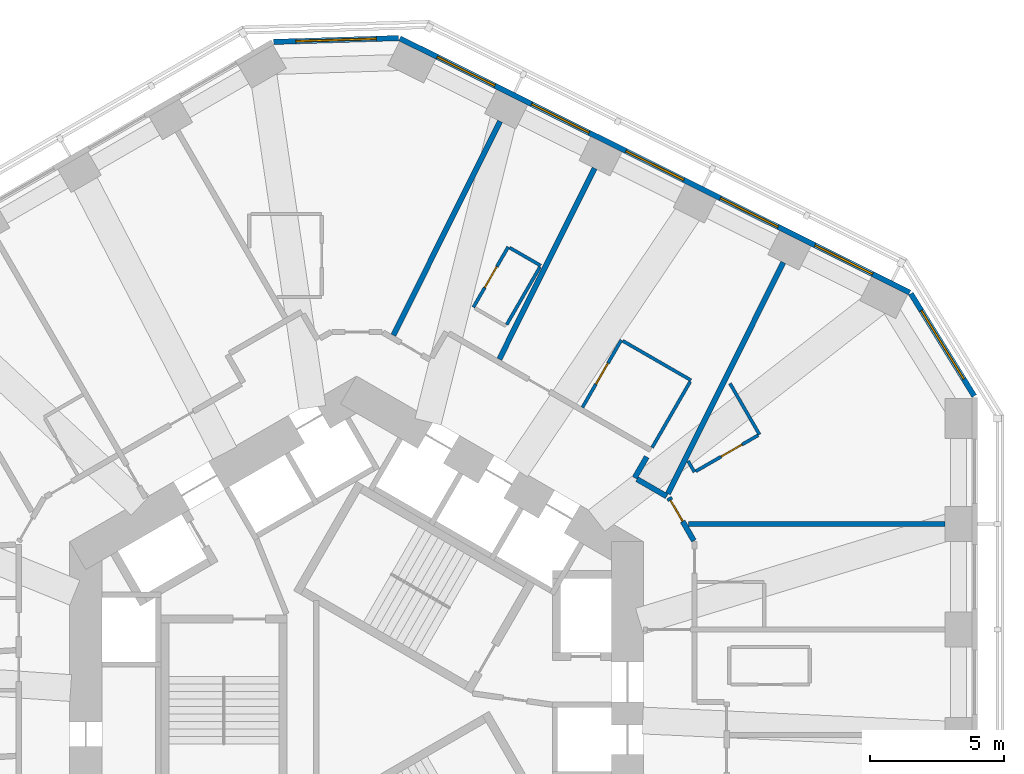
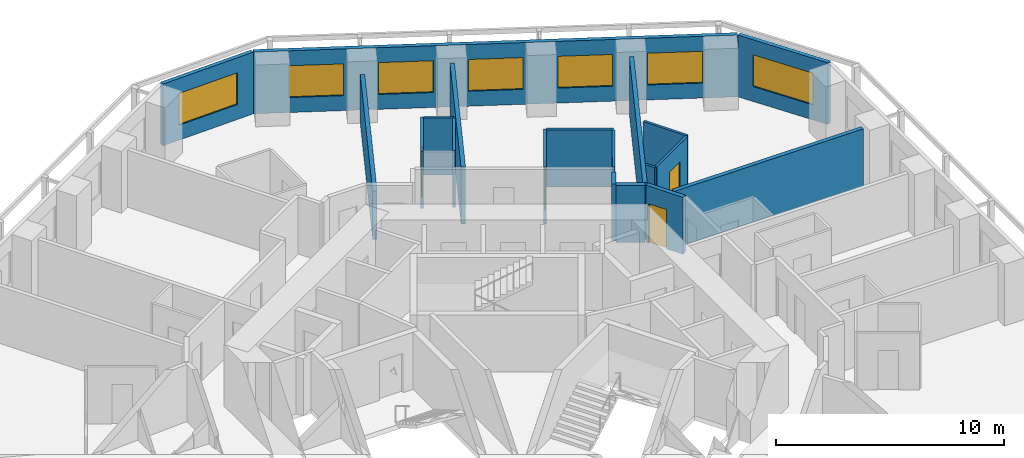
# One storey, part 9 of 12: 19 walls, 7 windows, 4 doors, 11 openings.
"""IFC4 building model written with IfcOpenShell, lengths in metres."""

from ifc_helpers import new_model, si_unit, direction, frame, frame_2d, origin, place, context, subcontext, project, spatial, rectangle, extrude, material, layer, layer_set, type_object, element, fill, save


model = new_model("IFC4")

# Units and contexts
model_context = context("Model", 3, precision=1e-05, world=origin(), true_north=direction((0.0, 1.0)))
body_context = subcontext(model_context, "Body", "Model", "MODEL_VIEW")
ifc_project = project(units=[si_unit("LENGTHUNIT", "METRE"), si_unit("AREAUNIT", "SQUARE_METRE"), si_unit("VOLUMEUNIT", "CUBIC_METRE"), si_unit("PLANEANGLEUNIT", "RADIAN"), si_unit("MASSUNIT", "GRAM", prefix="KILO")], contexts=[model_context])

# Site, building, storey
site_placement = place(None, origin())
site = spatial("IfcSite", under=ifc_project, at=site_placement, CompositionType="ELEMENT")
building_placement = place(site_placement, origin())
building = spatial("IfcBuilding", under=site, at=building_placement, Name="Vanh Sen Convention Tower", CompositionType="ELEMENT")
storey_placement = place(building_placement, frame((0.0, 0.0, 53.89990234375)))
storey = spatial("IfcBuildingStorey", under=building, at=storey_placement, Name="L10", CompositionType="ELEMENT", Elevation=53.89990234375)

# Wall, opening, door
ifc_material_1 = material(Name="Moisture-resistant gypsum board on steel studs", Category="steel")
ifc_layer_1 = layer(ifc_material_1, 0.1201171875)
ifc_layer_set_1 = layer_set([ifc_layer_1], Name="Moisture-resistant gypsum board on steel studs")
wall_type_1 = type_object("IfcWallType", Name="Bathroom partition 120", PredefinedType="PARTITIONING", material=ifc_layer_set_1)
wall_1_placement = place(storey_placement, frame((4.356201171875, 14.922119140625, 0.0), z_axis=(0.0, 0.0, 1.0), x_axis=(0.499936506574, 0.866062058628, 0.0)))
wall_1 = element("IfcWall", 1, at=wall_1_placement, inside=storey, type_object=wall_type_1, Name="Bathroom partition 120", PredefinedType="PARTITIONING", context=body_context, shape_type="SweptSolid", body=[
    extrude(rectangle(XDim=2.599853515625, YDim=0.1201171875, at=frame_2d((1.2998046875, 0.0))), origin(), (0.0, 0.0, 1.0), 3.050048828125),
])
opening_1_placement = place(wall_1_placement, frame((0.85009765625, 0.0, 0.0)))
opening_1 = element("IfcOpeningElement", 2, at=opening_1_placement, cuts=wall_1, Name="Opening D10112", PredefinedType="OPENING", context=body_context, shape_type="SweptSolid", body=[
    extrude(rectangle(XDim=0.89990234375, YDim=2.10009765625, at=frame_2d((0.449951171875, 1.050048828125))), frame((0.0, 0.070068359375, 0.0), z_axis=(0.0, -1.0, 0.0), x_axis=(1.0, 0.0, 0.0)), (0.0, 0.0, 1.0), 0.14013671875),
])
ifc_material_2 = material(Name="Laminate door in steel frame", Category="steel")
door_type_1 = type_object("IfcDoorType", Name="En-suite door 900", OperationType="SINGLE_SWING_LEFT", PredefinedType="DOOR", material=ifc_material_2)
door_1_placement = place(opening_1_placement, origin())
door_1 = element("IfcDoor", 3, at=door_1_placement, inside=storey, type_object=door_type_1, Name="En-suite door D10112", OperationType="SINGLE_SWING_LEFT", OverallHeight=2.10009765625, OverallWidth=0.89990234375, PredefinedType="DOOR", context=body_context, shape_type="SweptSolid", body=[
    extrude(rectangle(XDim=0.89990234375, YDim=2.10009765625, at=frame_2d((0.449951171875, 1.050048828125))), frame((0.0, 0.02490234375, 0.0), z_axis=(0.0, -1.0, 0.0), x_axis=(1.0, 0.0, 0.0)), (0.0, 0.0, 1.0), 0.050048828125),
])
fill(opening_1, door_1)

# Walls
wall_2_placement = place(storey_placement, frame((5.7080078125, 17.143798828125, 0.0), z_axis=(0.0, 0.0, 1.0), x_axis=(0.866082447003, -0.499901185229, 0.0)))
element("IfcWall", 4, at=wall_2_placement, inside=storey, type_object=wall_type_1, Name="Bathroom partition 120", PredefinedType="PARTITIONING", context=body_context, shape_type="SweptSolid", body=[
    extrude(rectangle(XDim=1.340087890625, YDim=0.1201171875, at=frame_2d((0.669921875, 0.0))), origin(), (0.0, 0.0, 1.0), 3.050048828125),
])
wall_3_placement = place(storey_placement, frame((6.838623046875, 16.421875, 0.0), z_axis=(0.0, 0.0, 1.0), x_axis=(-0.50000366821, -0.866023285932, 0.0)))
element("IfcWall", 5, at=wall_3_placement, inside=storey, type_object=wall_type_1, Name="Bathroom partition 120", PredefinedType="PARTITIONING", context=body_context, shape_type="SweptSolid", body=[
    extrude(rectangle(XDim=2.47998046875, YDim=0.1201171875, at=frame_2d((1.239990234375, 0.0))), origin(), (0.0, 0.0, 1.0), 3.050048828125),
])

# Wall, opening, door
wall_4_placement = place(storey_placement, frame((8.423583984375, 11.18798828125, 0.0), z_axis=(0.0, 0.0, 1.0), x_axis=(0.49995078051, 0.866053818805, 0.0)))
wall_4 = element("IfcWall", 6, at=wall_4_placement, inside=storey, type_object=wall_type_1, Name="Bathroom partition 120", PredefinedType="PARTITIONING", context=body_context, shape_type="SweptSolid", body=[
    extrude(rectangle(XDim=2.900146484375, YDim=0.1201171875, at=frame_2d((1.4501953125, 0.0))), origin(), (0.0, 0.0, 1.0), 3.050048828125),
])
opening_2_placement = place(wall_4_placement, frame((1.0, 0.0, 0.0)))
opening_2 = element("IfcOpeningElement", 7, at=opening_2_placement, cuts=wall_4, Name="Opening D10110", PredefinedType="OPENING", context=body_context, shape_type="SweptSolid", body=[
    extrude(rectangle(XDim=0.89990234375, YDim=2.10009765625, at=frame_2d((0.449951171875, 1.050048828125))), frame((0.0, 0.070068359375, 0.0), z_axis=(0.0, -1.0, 0.0), x_axis=(1.0, 0.0, 0.0)), (0.0, 0.0, 1.0), 0.14013671875),
])
door_2_placement = place(opening_2_placement, origin())
door_2 = element("IfcDoor", 8, at=door_2_placement, inside=storey, type_object=door_type_1, Name="En-suite door D10110", OperationType="SINGLE_SWING_LEFT", OverallHeight=2.10009765625, OverallWidth=0.89990234375, PredefinedType="DOOR", context=body_context, shape_type="SweptSolid", body=[
    extrude(rectangle(XDim=0.89990234375, YDim=2.10009765625, at=frame_2d((0.449951171875, 1.050048828125))), frame((0.0, 0.02490234375, 0.0), z_axis=(0.0, -1.0, 0.0), x_axis=(1.0, 0.0, 0.0)), (0.0, 0.0, 1.0), 0.050048828125),
])
fill(opening_2, door_2)

# Walls
wall_5_placement = place(storey_placement, frame((9.925537109375, 13.669677734375, 0.0), z_axis=(0.0, 0.0, 1.0), x_axis=(0.866032090307, -0.499988418424, 0.0)))
element("IfcWall", 9, at=wall_5_placement, inside=storey, type_object=wall_type_1, Name="Bathroom partition 120", PredefinedType="PARTITIONING", context=body_context, shape_type="SweptSolid", body=[
    extrude(rectangle(XDim=2.93994140625, YDim=0.1201171875, at=frame_2d((1.469970703125, 0.0))), origin(), (0.0, 0.0, 1.0), 3.050048828125),
])
wall_6_placement = place(storey_placement, frame((12.441650390625, 12.147705078125, 0.0), z_axis=(0.0, 0.0, 1.0), x_axis=(-0.49994816717, -0.866055327414, 0.0)))
element("IfcWall", 10, at=wall_6_placement, inside=storey, type_object=wall_type_1, Name="Bathroom partition 120", PredefinedType="PARTITIONING", context=body_context, shape_type="SweptSolid", body=[
    extrude(rectangle(XDim=2.840087890625, YDim=0.1201171875, at=frame_2d((1.419921875, 0.0))), origin(), (0.0, 0.0, 1.0), 3.050048828125),
])
wall_7_placement = place(storey_placement, frame((12.600830078125, 8.776123046875, 0.0), z_axis=(0.0, 0.0, 1.0), x_axis=(-0.500166486798, 0.865929261247, 0.0)))
element("IfcWall", 11, at=wall_7_placement, inside=storey, type_object=wall_type_1, Name="Bathroom partition 120", PredefinedType="PARTITIONING", context=body_context, shape_type="SweptSolid", body=[
    extrude(rectangle(XDim=0.475830078125, YDim=0.1201171875, at=frame_2d((0.23779296875, 0.0))), origin(), (0.0, 0.0, 1.0), 3.050048828125),
])
wall_8_placement = place(storey_placement, frame((13.92578125, 12.081298828125, 0.0), z_axis=(0.0, 0.0, 1.0), x_axis=(0.499994660107, -0.866028486751, 0.0)))
element("IfcWall", 12, at=wall_8_placement, inside=storey, type_object=wall_type_1, Name="Bathroom partition 120", PredefinedType="PARTITIONING", context=body_context, shape_type="SweptSolid", body=[
    extrude(rectangle(XDim=2.19970703125, YDim=0.1201171875, at=frame_2d((1.099853515625, 0.0))), origin(), (0.0, 0.0, 1.0), 3.050048828125),
])

# Wall, opening, door
wall_9_placement = place(storey_placement, frame((14.9736328125, 10.146240234375, 0.0), z_axis=(0.0, 0.0, 1.0), x_axis=(-0.86599746015, -0.500048396672, 0.0)))
wall_9 = element("IfcWall", 13, at=wall_9_placement, inside=storey, type_object=wall_type_1, Name="Bathroom partition 120", PredefinedType="PARTITIONING", context=body_context, shape_type="SweptSolid", body=[
    extrude(rectangle(XDim=2.679931640625, YDim=0.1201171875, at=frame_2d((1.33984375, 0.0))), origin(), (0.0, 0.0, 1.0), 3.050048828125),
])
opening_3_placement = place(wall_9_placement, frame((0.68994140625, 0.0, 0.0)))
opening_3 = element("IfcOpeningElement", 14, at=opening_3_placement, cuts=wall_9, Name="Opening D10108", PredefinedType="OPENING", context=body_context, shape_type="SweptSolid", body=[
    extrude(rectangle(XDim=0.89990234375, YDim=2.10009765625, at=frame_2d((0.449951171875, 1.050048828125))), frame((0.0, 0.070068359375, 0.0), z_axis=(0.0, -1.0, 0.0), x_axis=(1.0, 0.0, 0.0)), (0.0, 0.0, 1.0), 0.14013671875),
])
door_3_placement = place(opening_3_placement, origin())
door_3 = element("IfcDoor", 15, at=door_3_placement, inside=storey, type_object=door_type_1, Name="En-suite door D10108", OperationType="SINGLE_SWING_LEFT", OverallHeight=2.10009765625, OverallWidth=0.89990234375, PredefinedType="DOOR", context=body_context, shape_type="SweptSolid", body=[
    extrude(rectangle(XDim=0.89990234375, YDim=2.10009765625, at=frame_2d((0.449951171875, 1.050048828125))), frame((0.0, 0.02490234375, 0.0), z_axis=(0.0, -1.0, 0.0), x_axis=(1.0, 0.0, 0.0)), (0.0, 0.0, 1.0), 0.050048828125),
])
fill(opening_3, door_3)

# Walls
ifc_material_3 = material(Name="Gypsum board on steel studs with mineral wool", Category="steel")
ifc_layer_2 = layer(ifc_material_3, 0.199951171875)
ifc_layer_set_2 = layer_set([ifc_layer_2], Name="Gypsum board on steel studs with mineral wool")
wall_type_2 = type_object("IfcWallType", Name="Corridor partition wall 200", PredefinedType="PARTITIONING", material=ifc_layer_set_2)
wall_10_placement = place(storey_placement, frame((10.37109375, 8.561279296875, 0.0), z_axis=(0.0, 0.0, 1.0), x_axis=(0.50004290449, 0.866000631449, 0.0)))
element("IfcWall", 16, at=wall_10_placement, inside=storey, type_object=wall_type_2, Name="Corridor partition wall 200", PredefinedType="PARTITIONING", context=body_context, shape_type="SweptSolid", body=[
    extrude(rectangle(XDim=0.9013671875, YDim=0.199951171875, at=frame_2d((0.45068359375, 0.0))), origin(), (0.0, 0.0, 1.0), 3.050048828125),
])
wall_11_placement = place(storey_placement, frame((11.56640625, 7.871337890625, 0.0), z_axis=(0.0, 0.0, 1.0), x_axis=(-0.866004557827, 0.500036104519, 0.0)))
element("IfcWall", 17, at=wall_11_placement, inside=storey, type_object=wall_type_2, Name="Corridor partition wall 200", PredefinedType="PARTITIONING", context=body_context, shape_type="SweptSolid", body=[
    extrude(rectangle(XDim=1.2802734375, YDim=0.199951171875, at=frame_2d((0.64013671875, 0.0))), origin(), (0.0, 0.0, 1.0), 3.050048828125),
])

# Wall, opening, door
wall_12_placement = place(storey_placement, frame((12.580078125, 6.212158203125, 0.0), z_axis=(0.0, 0.0, 1.0), x_axis=(-0.500063286585, 0.865988862174, 0.0)))
wall_12 = element("IfcWall", 18, at=wall_12_placement, inside=storey, type_object=wall_type_2, Name="Corridor partition wall 200", PredefinedType="PARTITIONING", context=body_context, shape_type="SweptSolid", body=[
    extrude(rectangle(XDim=1.860107421875, YDim=0.199951171875, at=frame_2d((0.93017578125, 0.0))), origin(), (0.0, 0.0, 1.0), 3.050048828125),
])
opening_4_placement = place(wall_12_placement, frame((0.841796875, 0.0, 0.0)))
opening_4 = element("IfcOpeningElement", 19, at=opening_4_placement, cuts=wall_12, Name="Opening D10107", PredefinedType="OPENING", context=body_context, shape_type="SweptSolid", body=[
    extrude(rectangle(XDim=0.89990234375, YDim=2.10009765625, at=frame_2d((0.449951171875, 1.050048828125))), frame((0.0, 0.10986328125, 0.0), z_axis=(0.0, -1.0, 0.0), x_axis=(1.0, 0.0, 0.0)), (0.0, 0.0, 1.0), 0.219970703125),
])
ifc_material_4 = material(Name="Timber fire door in steel frame", Category="steel")
door_type_2 = type_object("IfcDoorType", Name="Guest room door 900", OperationType="SINGLE_SWING_LEFT", PredefinedType="DOOR", material=ifc_material_4)
door_4_placement = place(opening_4_placement, origin())
door_4 = element("IfcDoor", 20, at=door_4_placement, inside=storey, type_object=door_type_2, Name="Hotel guest room door D10107", OperationType="SINGLE_SWING_LEFT", OverallHeight=2.10009765625, OverallWidth=0.89990234375, PredefinedType="DOOR", context=body_context, shape_type="SweptSolid", body=[
    extrude(rectangle(XDim=0.89990234375, YDim=2.10009765625, at=frame_2d((0.449951171875, 1.050048828125))), frame((0.0, 0.02490234375, 0.0), z_axis=(0.0, -1.0, 0.0), x_axis=(1.0, 0.0, 0.0)), (0.0, 0.0, 1.0), 0.050048828125),
])
fill(opening_4, door_4)

# Wall, opening, window
ifc_material_5 = material(Name="Insulated lightweight infill wall")
ifc_layer_3 = layer(ifc_material_5, 0.199951171875)
ifc_layer_set_3 = layer_set([ifc_layer_3], Name="Insulated lightweight infill wall")
wall_type_3 = type_object("IfcWallType", Name="External wall 200", PredefinedType="STANDARD", material=ifc_layer_set_3)
wall_13_placement = place(storey_placement, frame((23.034912109375, 11.612060546875, 0.0), z_axis=(0.0, 0.0, 1.0), x_axis=(-0.526160091227, 0.850385535155, 0.0)))
wall_13 = element("IfcWall", 21, at=wall_13_placement, inside=storey, type_object=wall_type_3, Name="External wall CH1 L10", PredefinedType="STANDARD", context=body_context, shape_type="SweptSolid", body=[
    extrude(rectangle(XDim=4.493896484375, YDim=0.199951171875, at=frame_2d((2.2470703125, 0.0))), origin(), (0.0, 0.0, 1.0), 3.300048828125),
])
opening_5_placement = place(wall_13_placement, frame((0.746826171875, 0.0, 0.800048828125)))
opening_5 = element("IfcOpeningElement", 22, at=opening_5_placement, cuts=wall_13, Name="Opening WH2-CH11", PredefinedType="OPENING", context=body_context, shape_type="SweptSolid", body=[
    extrude(rectangle(XDim=3.0, YDim=1.699951171875, at=frame_2d((1.5, 0.85009765625))), frame((0.0, 0.10986328125, 0.0), z_axis=(0.0, -1.0, 0.0), x_axis=(1.0, 0.0, 0.0)), (0.0, 0.0, 1.0), 0.219970703125),
])
ifc_material_6 = material(Name="Aluminium frame with clear low-emissivity glass", Category="aluminium")
window_type_1 = type_object("IfcWindowType", Name="Hotel window 3000 x 1700", PartitioningType="SINGLE_PANEL", PredefinedType="WINDOW", material=ifc_material_6)
window_1_placement = place(opening_5_placement, origin())
window_1 = element("IfcWindow", 23, at=window_1_placement, inside=storey, type_object=window_type_1, Name="Window WH2-CH11", OverallHeight=1.699951171875, OverallWidth=3.0, PartitioningType="SINGLE_PANEL", PredefinedType="WINDOW", context=body_context, shape_type="SweptSolid", body=[
    extrude(rectangle(XDim=3.0, YDim=1.699951171875, at=frame_2d((1.5, 0.85009765625))), frame((0.0, 0.030029296875, 0.0), z_axis=(0.0, -1.0, 0.0), x_axis=(1.0, 0.0, 0.0)), (0.0, 0.0, 1.0), 0.06005859375),
])
fill(opening_5, window_1)

# Wall, openings, windows
wall_14_placement = place(storey_placement, frame((20.6298828125, 15.470458984375, 0.0), z_axis=(0.0, 0.0, 1.0), x_axis=(-0.894934518609, 0.446197498203, 0.0)))
wall_14 = element("IfcWall", 24, at=wall_14_placement, inside=storey, type_object=wall_type_3, Name="External wall NE L10", PredefinedType="STANDARD", context=body_context, shape_type="SweptSolid", body=[
    extrude(rectangle(XDim=21.24609375, YDim=0.199951171875, at=frame_2d((10.623046875, 0.0))), origin(), (0.0, 0.0, 1.0), 3.300048828125),
])
opening_6_placement = place(wall_14_placement, frame((1.552978515625, 0.0, 0.800048828125)))
opening_6 = element("IfcOpeningElement", 25, at=opening_6_placement, cuts=wall_14, Name="Opening WH1-NE1", PredefinedType="OPENING", context=body_context, shape_type="SweptSolid", body=[
    extrude(rectangle(XDim=2.39990234375, YDim=1.699951171875, at=frame_2d((1.199951171875, 0.85009765625))), frame((0.0, 0.10986328125, 0.0), z_axis=(0.0, -1.0, 0.0), x_axis=(1.0, 0.0, 0.0)), (0.0, 0.0, 1.0), 0.219970703125),
])
opening_7_placement = place(wall_14_placement, frame((5.48779296875, 0.0, 0.800048828125)))
opening_7 = element("IfcOpeningElement", 26, at=opening_7_placement, cuts=wall_14, Name="Opening WH1-NE2", PredefinedType="OPENING", context=body_context, shape_type="SweptSolid", body=[
    extrude(rectangle(XDim=2.39990234375, YDim=1.699951171875, at=frame_2d((1.199951171875, 0.85009765625))), frame((0.0, 0.10986328125, 0.0), z_axis=(0.0, -1.0, 0.0), x_axis=(1.0, 0.0, 0.0)), (0.0, 0.0, 1.0), 0.219970703125),
])
opening_8_placement = place(wall_14_placement, frame((9.42236328125, 0.0, 0.800048828125)))
opening_8 = element("IfcOpeningElement", 27, at=opening_8_placement, cuts=wall_14, Name="Opening WH1-NE3", PredefinedType="OPENING", context=body_context, shape_type="SweptSolid", body=[
    extrude(rectangle(XDim=2.39990234375, YDim=1.699951171875, at=frame_2d((1.199951171875, 0.85009765625))), frame((0.0, 0.10986328125, 0.0), z_axis=(0.0, -1.0, 0.0), x_axis=(1.0, 0.0, 0.0)), (0.0, 0.0, 1.0), 0.219970703125),
])
opening_9_placement = place(wall_14_placement, frame((13.35693359375, 0.0, 0.800048828125)))
opening_9 = element("IfcOpeningElement", 28, at=opening_9_placement, cuts=wall_14, Name="Opening WH1-NE4", PredefinedType="OPENING", context=body_context, shape_type="SweptSolid", body=[
    extrude(rectangle(XDim=2.39990234375, YDim=1.699951171875, at=frame_2d((1.199951171875, 0.85009765625))), frame((0.0, 0.10986328125, 0.0), z_axis=(0.0, -1.0, 0.0), x_axis=(1.0, 0.0, 0.0)), (0.0, 0.0, 1.0), 0.219970703125),
])
opening_10_placement = place(wall_14_placement, frame((17.29150390625, 0.0, 0.800048828125)))
opening_10 = element("IfcOpeningElement", 29, at=opening_10_placement, cuts=wall_14, Name="Opening WH1-NE5", PredefinedType="OPENING", context=body_context, shape_type="SweptSolid", body=[
    extrude(rectangle(XDim=2.39990234375, YDim=1.699951171875, at=frame_2d((1.199951171875, 0.85009765625))), frame((0.0, 0.10986328125, 0.0), z_axis=(0.0, -1.0, 0.0), x_axis=(1.0, 0.0, 0.0)), (0.0, 0.0, 1.0), 0.219970703125),
])
window_type_2 = type_object("IfcWindowType", Name="Hotel window 2400 x 1700", PartitioningType="SINGLE_PANEL", PredefinedType="WINDOW", material=ifc_material_6)
window_2_placement = place(opening_6_placement, origin())
window_2 = element("IfcWindow", 30, at=window_2_placement, inside=storey, type_object=window_type_2, Name="Window WH1-NE1", OverallHeight=1.699951171875, OverallWidth=2.39990234375, PartitioningType="SINGLE_PANEL", PredefinedType="WINDOW", context=body_context, shape_type="SweptSolid", body=[
    extrude(rectangle(XDim=2.39990234375, YDim=1.699951171875, at=frame_2d((1.199951171875, 0.85009765625))), frame((0.0, 0.030029296875, 0.0), z_axis=(0.0, -1.0, 0.0), x_axis=(1.0, 0.0, 0.0)), (0.0, 0.0, 1.0), 0.06005859375),
])
fill(opening_6, window_2)
window_3_placement = place(opening_7_placement, origin())
window_3 = element("IfcWindow", 31, at=window_3_placement, inside=storey, type_object=window_type_2, Name="Window WH1-NE2", OverallHeight=1.699951171875, OverallWidth=2.39990234375, PartitioningType="SINGLE_PANEL", PredefinedType="WINDOW", context=body_context, shape_type="SweptSolid", body=[
    extrude(rectangle(XDim=2.39990234375, YDim=1.699951171875, at=frame_2d((1.199951171875, 0.85009765625))), frame((0.0, 0.030029296875, 0.0), z_axis=(0.0, -1.0, 0.0), x_axis=(1.0, 0.0, 0.0)), (0.0, 0.0, 1.0), 0.06005859375),
])
fill(opening_7, window_3)
window_4_placement = place(opening_8_placement, origin())
window_4 = element("IfcWindow", 32, at=window_4_placement, inside=storey, type_object=window_type_2, Name="Window WH1-NE3", OverallHeight=1.699951171875, OverallWidth=2.39990234375, PartitioningType="SINGLE_PANEL", PredefinedType="WINDOW", context=body_context, shape_type="SweptSolid", body=[
    extrude(rectangle(XDim=2.39990234375, YDim=1.699951171875, at=frame_2d((1.199951171875, 0.85009765625))), frame((0.0, 0.030029296875, 0.0), z_axis=(0.0, -1.0, 0.0), x_axis=(1.0, 0.0, 0.0)), (0.0, 0.0, 1.0), 0.06005859375),
])
fill(opening_8, window_4)
window_5_placement = place(opening_9_placement, origin())
window_5 = element("IfcWindow", 33, at=window_5_placement, inside=storey, type_object=window_type_2, Name="Window WH1-NE4", OverallHeight=1.699951171875, OverallWidth=2.39990234375, PartitioningType="SINGLE_PANEL", PredefinedType="WINDOW", context=body_context, shape_type="SweptSolid", body=[
    extrude(rectangle(XDim=2.39990234375, YDim=1.699951171875, at=frame_2d((1.199951171875, 0.85009765625))), frame((0.0, 0.030029296875, 0.0), z_axis=(0.0, -1.0, 0.0), x_axis=(1.0, 0.0, 0.0)), (0.0, 0.0, 1.0), 0.06005859375),
])
fill(opening_9, window_5)
window_6_placement = place(opening_10_placement, origin())
window_6 = element("IfcWindow", 34, at=window_6_placement, inside=storey, type_object=window_type_2, Name="Window WH1-NE5", OverallHeight=1.699951171875, OverallWidth=2.39990234375, PartitioningType="SINGLE_PANEL", PredefinedType="WINDOW", context=body_context, shape_type="SweptSolid", body=[
    extrude(rectangle(XDim=2.39990234375, YDim=1.699951171875, at=frame_2d((1.199951171875, 0.85009765625))), frame((0.0, 0.030029296875, 0.0), z_axis=(0.0, -1.0, 0.0), x_axis=(1.0, 0.0, 0.0)), (0.0, 0.0, 1.0), 0.06005859375),
])
fill(opening_10, window_6)

# Wall, opening, window
wall_15_placement = place(storey_placement, frame((1.568359375, 24.9609375, 0.0), z_axis=(0.0, 0.0, 1.0), x_axis=(-0.999533359013, -0.030546099927, 0.0)))
wall_15 = element("IfcWall", 35, at=wall_15_placement, inside=storey, type_object=wall_type_3, Name="External wall CH2 L10", PredefinedType="STANDARD", context=body_context, shape_type="SweptSolid", body=[
    extrude(rectangle(XDim=4.65966796875, YDim=0.199951171875, at=frame_2d((2.329833984375, 0.0))), origin(), (0.0, 0.0, 1.0), 3.300048828125),
])
opening_11_placement = place(wall_15_placement, frame((0.829833984375, 0.0, 0.800048828125)))
opening_11 = element("IfcOpeningElement", 36, at=opening_11_placement, cuts=wall_15, Name="Opening WH2-CH21", PredefinedType="OPENING", context=body_context, shape_type="SweptSolid", body=[
    extrude(rectangle(XDim=3.0, YDim=1.699951171875, at=frame_2d((1.5, 0.85009765625))), frame((0.0, 0.10986328125, 0.0), z_axis=(0.0, -1.0, 0.0), x_axis=(1.0, 0.0, 0.0)), (0.0, 0.0, 1.0), 0.219970703125),
])
window_7_placement = place(opening_11_placement, origin())
window_7 = element("IfcWindow", 37, at=window_7_placement, inside=storey, type_object=window_type_1, Name="Window WH2-CH21", OverallHeight=1.699951171875, OverallWidth=3.0, PartitioningType="SINGLE_PANEL", PredefinedType="WINDOW", context=body_context, shape_type="SweptSolid", body=[
    extrude(rectangle(XDim=3.0, YDim=1.699951171875, at=frame_2d((1.5, 0.85009765625))), frame((0.0, 0.030029296875, 0.0), z_axis=(0.0, -1.0, 0.0), x_axis=(1.0, 0.0, 0.0)), (0.0, 0.0, 1.0), 0.06005859375),
])
fill(opening_11, window_7)

# Walls
ifc_layer_4 = layer(ifc_material_3, 0.199951171875)
ifc_layer_set_4 = layer_set([ifc_layer_4], Name="Gypsum board on steel studs with mineral wool")
wall_type_4 = type_object("IfcWallType", Name="Hotel party wall 200", PredefinedType="PARTITIONING", material=ifc_layer_set_4)
wall_16_placement = place(storey_placement, frame((5.35107421875, 21.859130859375, 0.0), z_axis=(0.0, 0.0, 1.0), x_axis=(-0.446205309328, -0.894930624086, 0.0)))
element("IfcWall", 38, at=wall_16_placement, inside=storey, type_object=wall_type_4, Name="Hotel party wall 200", PredefinedType="PARTITIONING", context=body_context, shape_type="SweptSolid", body=[
    extrude(rectangle(XDim=8.9130859375, YDim=0.199951171875, at=frame_2d((4.45654296875, 0.0))), origin(), (0.0, 0.0, 1.0), 2.60009765625),
])
wall_17_placement = place(storey_placement, frame((8.872314453125, 20.103515625, 0.0), z_axis=(0.0, 0.0, 1.0), x_axis=(-0.446218378653, -0.894924107706, 0.0)))
element("IfcWall", 39, at=wall_17_placement, inside=storey, type_object=wall_type_4, Name="Hotel party wall 200", PredefinedType="PARTITIONING", context=body_context, shape_type="SweptSolid", body=[
    extrude(rectangle(XDim=7.950439453125, YDim=0.199951171875, at=frame_2d((3.97509765625, 0.0))), origin(), (0.0, 0.0, 1.0), 3.050048828125),
])
wall_18_placement = place(storey_placement, frame((15.91455078125, 16.59228515625, 0.0), z_axis=(0.0, 0.0, 1.0), x_axis=(-0.446199736347, -0.894933402709, 0.0)))
element("IfcWall", 40, at=wall_18_placement, inside=storey, type_object=wall_type_4, Name="Hotel party wall 200", PredefinedType="PARTITIONING", context=body_context, shape_type="SweptSolid", body=[
    extrude(rectangle(XDim=9.634765625, YDim=0.199951171875, at=frame_2d((4.8173828125, 0.0))), origin(), (0.0, 0.0, 1.0), 3.050048828125),
])
wall_19_placement = place(storey_placement, frame((21.949951171875, 6.839111328125, 0.0), z_axis=(0.0, 0.0, 1.0), x_axis=(-1.0, 0.0, 0.0)))
element("IfcWall", 41, at=wall_19_placement, inside=storey, type_object=wall_type_4, Name="Hotel party wall 200", PredefinedType="PARTITIONING", context=body_context, shape_type="SweptSolid", body=[
    extrude(rectangle(XDim=9.57177734375, YDim=0.199951171875, at=frame_2d((4.785888671875, 0.0))), origin(), (0.0, 0.0, 1.0), 3.050048828125),
])

save(model, "model.ifc")
